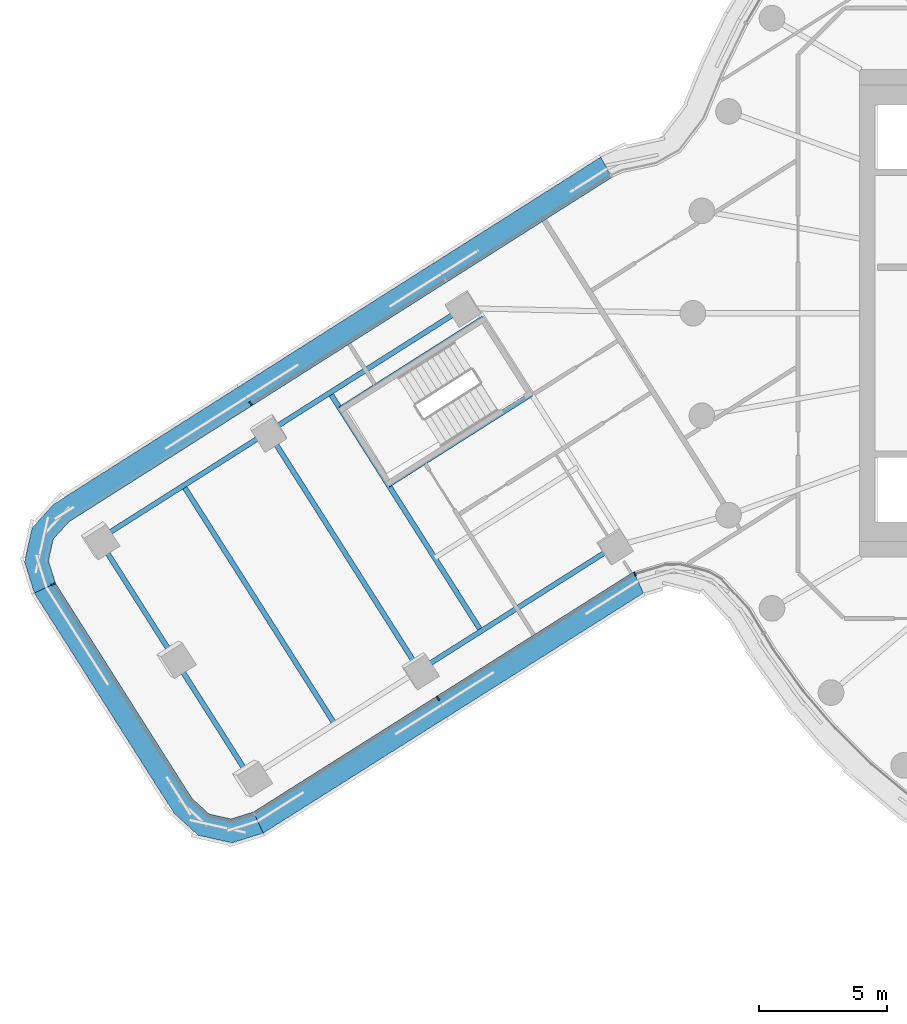
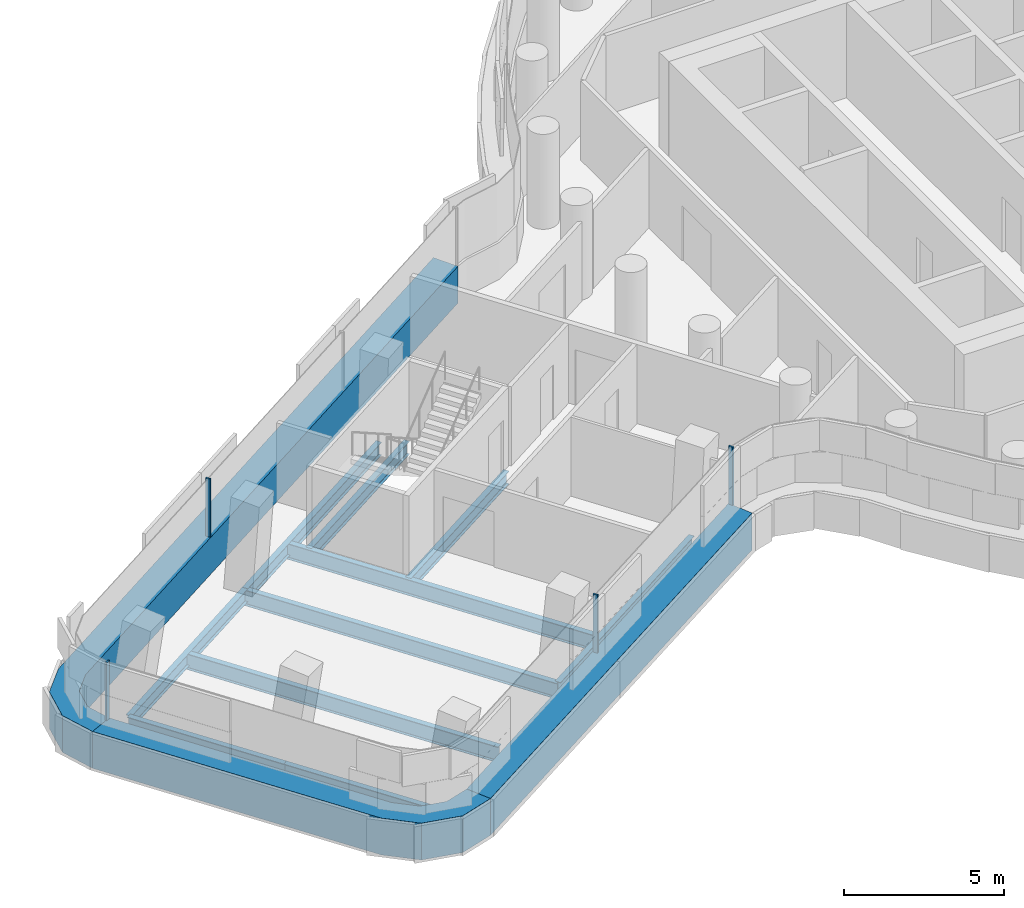
# One storey, part 8 of 36: 10 beams, 7 members, 4 elements without a shape of their own.
"""IFC4 building model written with IfcOpenShell, lengths in metres."""

from ifc_helpers import new_model, si_unit, direction, frame, origin, origin_2d, place, context, subcontext, project, spatial, polyline, rectangle, i_section, outline, extrude, material, layer, layer_set, material_profile, profile_set, type_object, element, aggregate, save


model = new_model("IFC4")

# Units and contexts
model_context = context("Model", 3, precision=1e-05, world=origin(), true_north=direction((0.0, 1.0)))
body_context = subcontext(model_context, "Body", "Model", "MODEL_VIEW")
ifc_project = project(units=[si_unit("LENGTHUNIT", "METRE"), si_unit("AREAUNIT", "SQUARE_METRE"), si_unit("VOLUMEUNIT", "CUBIC_METRE"), si_unit("PLANEANGLEUNIT", "RADIAN"), si_unit("MASSUNIT", "GRAM", prefix="KILO")], contexts=[model_context])

# Site, building, storey
site_placement = place(None, origin())
site = spatial("IfcSite", under=ifc_project, at=site_placement, CompositionType="ELEMENT")
building_placement = place(site_placement, origin())
building = spatial("IfcBuilding", under=site, at=building_placement, Name="Tamarind Cross Interchange Tower", CompositionType="ELEMENT")
storey_placement = place(building_placement, frame((0.0, 0.0, 151.75)))
storey = spatial("IfcBuildingStorey", under=building, at=storey_placement, Name="L37", CompositionType="ELEMENT", Elevation=151.75)

# Beams
ifc_material_1 = material(Name="Steel Q355B", Category="steel")
ifc_material_profile_1 = material_profile(ifc_material_1, i_section(OverallWidth=0.198974609375, OverallDepth=0.49609375, WebThickness=0.009033203125, FlangeThickness=0.013916015625, FilletRadius=0.012939453125, at=origin_2d()), Name="HN 496x199x9x14")
ifc_profile_set_1 = profile_set([ifc_material_profile_1], Name="Steel Q355B")
beam_type_1 = type_object("IfcBeamType", Name="Composite beam HN 496x199x9x14 Q355B", PredefinedType="BEAM", material=ifc_profile_set_1)
beam_1_placement = place(storey_placement, frame((-46.157958984375, -8.811279296875, -0.387939453125), z_axis=(0.844425566196, 0.53567290687, 0.0), x_axis=(-0.53567290687, 0.844425566196, 0.0)))
element("IfcBeam", 1, at=beam_1_placement, inside=storey, type_object=beam_type_1, Name="Beam W-edgeem5", PredefinedType="BEAM", context=body_context, shape_type="SweptSolid", body=[
    extrude(i_section(OverallWidth=0.198974609375, OverallDepth=0.49609375, WebThickness=0.009033203125, FlangeThickness=0.013916015625, FilletRadius=0.012939453125, at=origin_2d()), origin(), (0.0, 0.0, 1.0), 7.819580078125),
])
beam_2_placement = place(storey_placement, frame((-39.554931640625, -4.62255859375, -0.387939453125), z_axis=(0.844434661352, 0.535658569153, 0.0), x_axis=(-0.535658569153, 0.844434661352, 0.0)))
element("IfcBeam", 2, at=beam_2_placement, inside=storey, type_object=beam_type_1, Name="Beam W-edgeem6", PredefinedType="BEAM", context=body_context, shape_type="SweptSolid", body=[
    extrude(i_section(OverallWidth=0.198974609375, OverallDepth=0.49609375, WebThickness=0.009033203125, FlangeThickness=0.013916015625, FilletRadius=0.012939453125, at=origin_2d()), origin(), (0.0, 0.0, 1.0), 9.000244140625),
])
beam_3_placement = place(storey_placement, frame((-33.66259765625, -13.911376953125, -0.387939453125), z_axis=(0.844426877798, 0.535670839278, 0.0), x_axis=(-0.535670839278, 0.844426877798, 0.0)))
element("IfcBeam", 3, at=beam_3_placement, inside=storey, type_object=beam_type_1, Name="Beam W-edgeep3", PredefinedType="BEAM", context=body_context, shape_type="SweptSolid", body=[
    extrude(i_section(OverallWidth=0.198974609375, OverallDepth=0.49609375, WebThickness=0.009033203125, FlangeThickness=0.013916015625, FilletRadius=0.012939453125, at=origin_2d()), origin(), (0.0, 0.0, 1.0), 9.0),
])
for number, where, z_axis, x_axis, name in (
    (4, (-31.173095703125, -0.19384765625, -0.387939453125), (-0.84442981638, -0.535666206895, 0.0), (0.535666206895, -0.84442981638, 0.0), "Beam W-tr0"),
    (5, (-29.29833984375, -3.1494140625, -0.387939453125), (-0.84442981638, -0.535666206895, 0.0), (0.535666206895, -0.84442981638, 0.0), "Beam W-tr1"),
):
    element("IfcBeam", number, at=place(storey_placement, frame(where, z_axis=z_axis, x_axis=x_axis)), inside=storey, type_object=beam_type_1, Name=name, PredefinedType="BEAM", context=body_context, shape_type="SweptSolid", body=[
        extrude(i_section(OverallWidth=0.198974609375, OverallDepth=0.49609375, WebThickness=0.009033203125, FlangeThickness=0.013916015625, FilletRadius=0.012939453125, at=origin_2d()), origin(), (0.0, 0.0, 1.0), 6.60009765625),
    ])
ifc_material_profile_2 = material_profile(ifc_material_1, i_section(OverallWidth=0.199951171875, OverallDepth=0.60009765625, WebThickness=0.010986328125, FlangeThickness=0.01708984375, FilletRadius=0.012939453125, at=origin_2d()), Name="HN 600x200x11x17")
ifc_profile_set_2 = profile_set([ifc_material_profile_2], Name="Steel Q355B")
beam_type_2 = type_object("IfcBeamType", Name="Composite beam HN 600x200x11x17 Q355B", PredefinedType="BEAM", material=ifc_profile_set_2)
beam_4_placement = place(storey_placement, frame((-46.157958984375, -8.811279296875, -0.43994140625), z_axis=(0.535657073422, -0.844435610152, 0.0), x_axis=(0.844435610152, 0.535657073422, 0.0)))
element("IfcBeam", 6, at=beam_4_placement, inside=storey, type_object=beam_type_2, Name="Beam W-tip0", PredefinedType="BEAM", context=body_context, shape_type="SweptSolid", body=[
    extrude(i_section(OverallWidth=0.199951171875, OverallDepth=0.60009765625, WebThickness=0.010986328125, FlangeThickness=0.01708984375, FilletRadius=0.012939453125, at=origin_2d()), origin(), (0.0, 0.0, 1.0), 5.499755859375),
])
beam_5_placement = place(storey_placement, frame((-43.2119140625, -13.45556640625, -0.43994140625), z_axis=(0.535636995077, -0.844448346262, 0.0), x_axis=(0.844448346262, 0.535636995077, 0.0)))
element("IfcBeam", 7, at=beam_5_placement, inside=storey, type_object=beam_type_2, Name="Beam W-tip1", PredefinedType="BEAM", context=body_context, shape_type="SweptSolid", body=[
    extrude(i_section(OverallWidth=0.199951171875, OverallDepth=0.60009765625, WebThickness=0.010986328125, FlangeThickness=0.01708984375, FilletRadius=0.012939453125, at=origin_2d()), origin(), (0.0, 0.0, 1.0), 5.5),
])
for number, where, z_axis, x_axis, name in (
    (8, (-37.148193359375, -3.095947265625, -0.43994140625), (0.535662860468, -0.844431939185, 0.0), (0.844431939185, 0.535662860468, 0.0), "Beam W-x364"),
    (9, (-39.554931640625, -4.62255859375, -0.43994140625), (0.535662860468, -0.844431939185, 0.0), (0.844431939185, 0.535662860468, 0.0), "Beam W-x393"),
):
    element("IfcBeam", number, at=place(storey_placement, frame(where, z_axis=z_axis, x_axis=x_axis)), inside=storey, type_object=beam_type_2, Name=name, PredefinedType="BEAM", context=body_context, shape_type="SweptSolid", body=[
        extrude(i_section(OverallWidth=0.199951171875, OverallDepth=0.60009765625, WebThickness=0.010986328125, FlangeThickness=0.01708984375, FilletRadius=0.012939453125, at=origin_2d()), origin(), (0.0, 0.0, 1.0), 11.0),
    ])
beam_6_placement = place(storey_placement, frame((-42.8564453125, -6.717041015625, -0.43994140625), z_axis=(0.535672899849, -0.84442557065, 0.0), x_axis=(0.84442557065, 0.535672899849, 0.0)))
element("IfcBeam", 10, at=beam_6_placement, inside=storey, type_object=beam_type_2, Name="Beam W-x432", PredefinedType="BEAM", context=body_context, shape_type="SweptSolid", body=[
    extrude(i_section(OverallWidth=0.199951171875, OverallDepth=0.60009765625, WebThickness=0.010986328125, FlangeThickness=0.01708984375, FilletRadius=0.012939453125, at=origin_2d()), origin(), (0.0, 0.0, 1.0), 10.999755859375),
])

# Curtain wall, member
ifc_material_2 = material(Name="Aluminium 6063-T6", Category="aluminium")
ifc_layer = layer(ifc_material_2, 0.159912109375)
ifc_layer_set = layer_set([ifc_layer], Name="Aluminium 6063-T6")
curtain_wall_type = type_object("IfcCurtainWallType", Name="Office curtain wall, 9.0 m bays", PredefinedType="NOTDEFINED", material=ifc_layer_set)
curtain_wall_1_placement = place(storey_placement, origin())
curtain_wall_1 = element("IfcCurtainWall", 11, at=curtain_wall_1_placement, inside=storey, type_object=curtain_wall_type, Name="CWS-L37-03", PredefinedType="NOTDEFINED")
ifc_material_3 = material(Name="Aluminium and insulated spandrel panel", Category="aluminium")
member_type_1 = type_object("IfcMemberType", Name="Floor-edge blade transom", PredefinedType="USERDEFINED", material=ifc_material_3)
member_1_placement = place(storey_placement, origin())
member_1 = element("IfcMember", 12, at=member_1_placement, type_object=member_type_1, Name="CWT-L37-03", ObjectType="TRANSOM", PredefinedType="USERDEFINED", context=body_context, shape_type="SweptSolid", body=[
    extrude(outline(polyline([(-26.161376953125, 5.294677734375), (-47.307861328125, -8.11962890625), (-47.927734375, -8.79345703125), (-48.11865234375, -9.646728515625), (-47.844970703125, -10.520263671875), (-48.66845703125, -10.90234375), (-49.049560546875, -9.685546875), (-48.75341796875, -8.361572265625), (-47.89013671875, -7.423095703125), (-26.59375, 6.086181640625), (-26.161376953125, 5.294677734375)])), origin(), (0.0, 0.0, 1.0), 1.39990234375),
])

curtain_wall_2_placement = place(storey_placement, origin())
curtain_wall_2 = element("IfcCurtainWall", 13, at=curtain_wall_2_placement, inside=storey, type_object=curtain_wall_type, Name="CWS-L37-04", PredefinedType="NOTDEFINED")
member_2_placement = place(storey_placement, origin())
member_2 = element("IfcMember", 14, at=member_2_placement, type_object=member_type_1, Name="CWT-L37-04", ObjectType="TRANSOM", PredefinedType="USERDEFINED", context=body_context, shape_type="SweptSolid", body=[
    extrude(outline(polyline([(-47.844970703125, -10.520263671875), (-42.53076171875, -18.89794921875), (-41.85693359375, -19.517578125), (-41.003662109375, -19.70849609375), (-40.1298828125, -19.43505859375), (-39.74853515625, -20.2587890625), (-40.96484375, -20.6396484375), (-42.288818359375, -20.34326171875), (-43.227294921875, -19.47998046875), (-48.66845703125, -10.90234375), (-47.844970703125, -10.520263671875)])), origin(), (0.0, 0.0, 1.0), 1.39990234375),
])

curtain_wall_3_placement = place(storey_placement, origin())
curtain_wall_3 = element("IfcCurtainWall", 15, at=curtain_wall_3_placement, inside=storey, type_object=curtain_wall_type, Name="CWS-L37-05", PredefinedType="NOTDEFINED")
member_3_placement = place(storey_placement, origin())
member_3 = element("IfcMember", 16, at=member_3_placement, type_object=member_type_1, Name="CWT-L37-05", ObjectType="TRANSOM", PredefinedType="USERDEFINED", context=body_context, shape_type="SweptSolid", body=[
    extrude(outline(polyline([(-40.1298828125, -19.43505859375), (-25.30517578125, -10.07470703125), (-24.928466796875, -10.9013671875), (-39.74853515625, -20.2587890625), (-40.1298828125, -19.43505859375)])), origin(), (0.0, 0.0, 1.0), 1.39990234375),
])

# Member
ifc_material_profile_3 = material_profile(ifc_material_2, rectangle(XDim=0.06005859375, YDim=0.159912109375, at=origin_2d()), Name="Mullion CW1")
ifc_profile_set_3 = profile_set([ifc_material_profile_3], Name="Aluminium 6063-T6")
member_type_2 = type_object("IfcMemberType", Name="Mullion CW1", PredefinedType="MULLION", material=ifc_profile_set_3)
member_4_placement = place(storey_placement, frame((-40.240234375, -3.517822265625, 1.39990234375), z_axis=(0.0, 0.0, 1.0), x_axis=(-0.844432651118, -0.535661738157, 0.0)))
member_4 = element("IfcMember", 17, at=member_4_placement, type_object=member_type_2, Name="CWM-L37-03-02", PredefinedType="MULLION", context=body_context, shape_type="SweptSolid", body=[
    extrude(rectangle(XDim=0.06005859375, YDim=0.159912109375, at=origin_2d()), origin(), (0.0, 0.0, 1.0), 2.210205078125),
])

aggregate(curtain_wall_1, [member_4, member_1])

member_5_placement = place(storey_placement, frame((-47.9365234375, -10.562744140625, 1.39990234375), z_axis=(0.0, 0.0, 1.0), x_axis=(0.420858499194, -0.907126299727, 0.0)))
member_5 = element("IfcMember", 18, at=member_5_placement, type_object=member_type_2, Name="CWM-L37-04-00", PredefinedType="MULLION", context=body_context, shape_type="SweptSolid", body=[
    extrude(rectangle(XDim=0.06005859375, YDim=0.159912109375, at=origin_2d()), origin(), (0.0, 0.0, 1.0), 2.210205078125),
])

aggregate(curtain_wall_2, [member_5, member_2])

member_6_placement = place(storey_placement, frame((-32.933837890625, -15.009765625, 1.39990234375), z_axis=(0.0, 0.0, 1.0), x_axis=(0.845559868241, 0.533880613265, 0.0)))
member_6 = element("IfcMember", 19, at=member_6_placement, type_object=member_type_2, Name="CWM-L37-05-01", PredefinedType="MULLION", context=body_context, shape_type="SweptSolid", body=[
    extrude(rectangle(XDim=0.06005859375, YDim=0.159912109375, at=origin_2d()), origin(), (0.0, 0.0, 1.0), 2.210205078125),
])

aggregate(curtain_wall_3, [member_6, member_3])

# Curtain wall, member
curtain_wall_4_placement = place(storey_placement, origin())
curtain_wall_4 = element("IfcCurtainWall", 20, at=curtain_wall_4_placement, inside=storey, type_object=curtain_wall_type, Name="CWS-L37-06", PredefinedType="NOTDEFINED")
member_7_placement = place(storey_placement, frame((-25.26318359375, -10.16650390625, 1.39990234375), z_axis=(0.0, 0.0, 1.0), x_axis=(0.909977417852, 0.414657809524, 0.0)))
member_7 = element("IfcMember", 21, at=member_7_placement, type_object=member_type_2, Name="CWM-L37-06-00", PredefinedType="MULLION", context=body_context, shape_type="SweptSolid", body=[
    extrude(rectangle(XDim=0.06005859375, YDim=0.159912109375, at=origin_2d()), origin(), (0.0, 0.0, 1.0), 2.210205078125),
])
aggregate(curtain_wall_4, [member_7])

save(model, "model.ifc")
